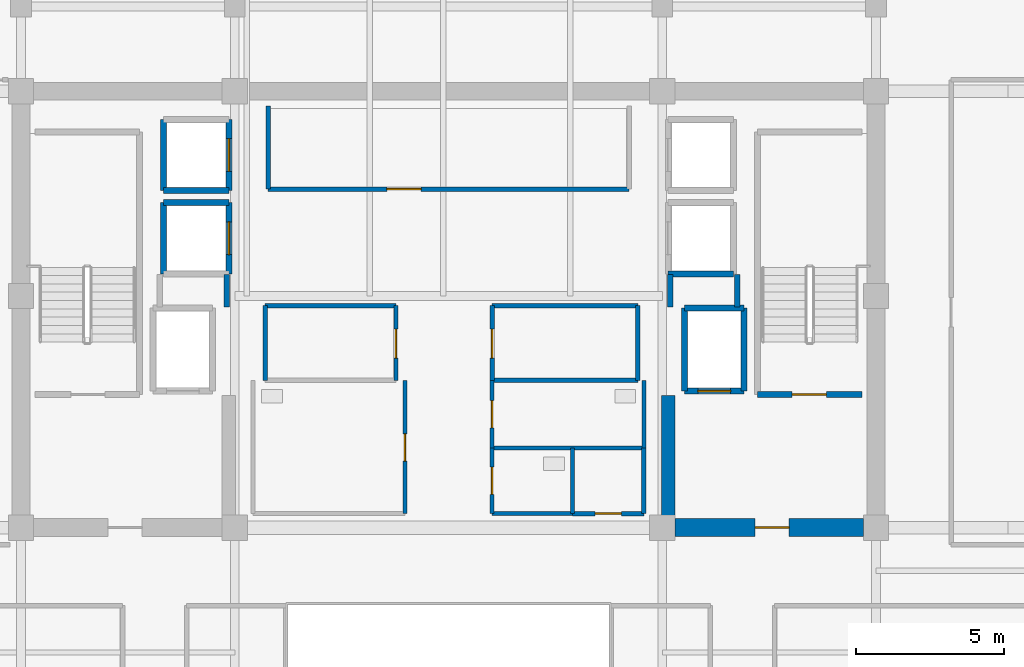
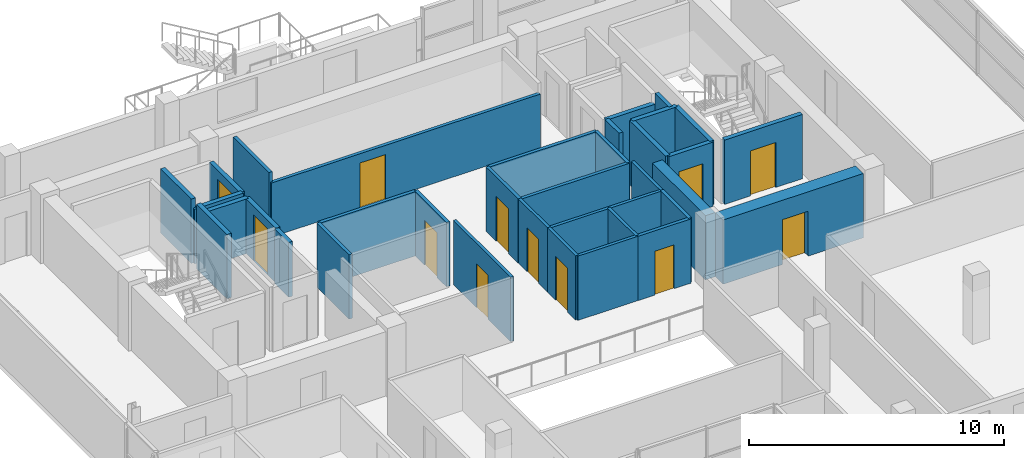
# One storey, part 16 of 23: 35 walls, 12 doors, 12 openings.
"""IFC4 building model written with IfcOpenShell, lengths in metres."""

from ifc_helpers import new_model, si_unit, direction, frame, frame_2d, origin, place, context, subcontext, project, spatial, rectangle, extrude, source, transform, mapped, material, layer, layer_set, type_object, element, fill, save


model = new_model("IFC4")

# Units and contexts
model_context = context("Model", 3, precision=1e-05, world=origin(), true_north=direction((0.0, 1.0)))
body_context = subcontext(model_context, "Body", "Model", "MODEL_VIEW")
ifc_project = project(units=[si_unit("LENGTHUNIT", "METRE"), si_unit("AREAUNIT", "SQUARE_METRE"), si_unit("VOLUMEUNIT", "CUBIC_METRE"), si_unit("PLANEANGLEUNIT", "RADIAN"), si_unit("MASSUNIT", "GRAM", prefix="KILO")], contexts=[model_context])

# Site, building, storey
site_placement = place(None, origin())
site = spatial("IfcSite", under=ifc_project, at=site_placement, CompositionType="ELEMENT")
building_placement = place(site_placement, origin())
building = spatial("IfcBuilding", under=site, at=building_placement, Name="Zarnakvel Exchange Tower", CompositionType="ELEMENT")
storey_placement = place(building_placement, frame((0.0, 0.0, 232.0)))
storey = spatial("IfcBuildingStorey", under=building, at=storey_placement, Name="L65", CompositionType="ELEMENT", Elevation=232.0)

# Wall, opening, door
ifc_material_1 = material(Name="Concrete C50/60", Category="concrete")
ifc_layer_1 = layer(ifc_material_1, 0.60009765625)
ifc_layer_set_1 = layer_set([ifc_layer_1], Name="Concrete C50/60")
wall_type_1 = type_object("IfcWallType", Name="CW-C5", PredefinedType="SHEAR", material=ifc_layer_set_1)
wall_1_placement = place(storey_placement, frame((13.97509765625, -1.199951171875, 0.0), z_axis=(0.0, 0.0, 1.0), x_axis=(-1.0, 0.0, 0.0)))
wall_1 = element("IfcWall", 1, at=wall_1_placement, inside=storey, type_object=wall_type_1, Name="L65 Rear Core Shear Wall SE (CW-C5)", PredefinedType="SHEAR", context=body_context, shape_type="SweptSolid", body=[
    extrude(rectangle(XDim=6.35009765625, YDim=0.60009765625, at=frame_2d((3.175048828125, 0.0))), origin(), (0.0, 0.0, 1.0), 3.074951171875),
])
opening_1_placement = place(wall_1_placement, frame((2.5, 0.0, 0.0)))
opening_1 = element("IfcOpeningElement", 2, at=opening_1_placement, cuts=wall_1, Name="Opening D-L65-04", PredefinedType="OPENING", context=body_context, shape_type="SweptSolid", body=[
    extrude(rectangle(XDim=1.14990234375, YDim=2.14990234375, at=frame_2d((0.574951171875, 1.074951171875))), frame((0.0, 0.31005859375, 0.0), z_axis=(0.0, -1.0, 0.0), x_axis=(1.0, 0.0, 0.0)), (0.0, 0.0, 1.0), 0.6201171875),
])
ifc_material_2 = material(Name="Painted Galvanised Steel S355", Category="steel")
door_type_1 = type_object("IfcDoorType", Name="DT-04", OperationType="NOTDEFINED", PredefinedType="DOOR", material=ifc_material_2)
shared_shape_1 = source(origin(), body_context, "Body", "SweptSolid", [
    extrude(rectangle(XDim=1.14990234375, YDim=2.14990234375, at=frame_2d((0.574951171875, 1.074951171875))), frame((0.0, 0.02490234375, 0.0), z_axis=(0.0, -1.0, 0.0), x_axis=(1.0, 0.0, 0.0)), (0.0, 0.0, 1.0), 0.050048828125),
])
door_1_placement = place(opening_1_placement, origin())
door_1 = element("IfcDoor", 3, at=door_1_placement, inside=storey, type_object=door_type_1, Name="L65 Firefighting Lobby East Door D-L65-04", OperationType="SINGLE_SWING_RIGHT", OverallHeight=2.14990234375, OverallWidth=1.14990234375, PredefinedType="DOOR", context=body_context, shape_type="MappedRepresentation", body=[
    mapped(shared_shape_1, transform((0.0, 0.0, 0.0), x_axis=(1.0, 0.0, 0.0), y_axis=(0.0, 1.0, 0.0), z_axis=(0.0, 0.0, 1.0), scale=1.0)),
])
fill(opening_1, door_1)

# Wall
ifc_layer_2 = layer(ifc_material_1, 0.449951171875)
ifc_layer_set_2 = layer_set([ifc_layer_2], Name="Concrete C50/60")
wall_type_2 = type_object("IfcWallType", Name="CW-C6", PredefinedType="SHEAR", material=ifc_layer_set_2)
wall_2_placement = place(storey_placement, frame((7.39990234375, -0.89990234375, 0.0), z_axis=(0.0, 0.0, 1.0), x_axis=(0.0, 1.0, 0.0)))
element("IfcWall", 4, at=wall_2_placement, inside=storey, type_object=wall_type_2, Name="L65 Rear Core Shear Wall IE (CW-C6)", PredefinedType="SHEAR", context=body_context, shape_type="SweptSolid", body=[
    extrude(rectangle(XDim=4.14990234375, YDim=0.449951171875, at=frame_2d((2.074951171875, 0.0))), origin(), (0.0, 0.0, 1.0), 3.074951171875),
])

# Wall, opening, door
ifc_material_3 = material(Name="Fire-Rated Gypsum Stud Partition", Category="gypsum")
ifc_layer_3 = layer(ifc_material_3, 0.14990234375)
ifc_layer_set_3 = layer_set([ifc_layer_3], Name="Fire-Rated Gypsum Stud Partition")
wall_type_3 = type_object("IfcWallType", Name="PT-01", PredefinedType="PARTITIONING", material=ifc_layer_set_3)
wall_3_placement = place(storey_placement, frame((6.080078125, 10.199951171875, 0.0), z_axis=(0.0, 0.0, 1.0), x_axis=(-1.0, 0.0, 0.0)))
wall_3 = element("IfcWall", 5, at=wall_3_placement, inside=storey, type_object=wall_type_3, Name="L65 Partition Wall PWALL-L65-011 (PT-01)", PredefinedType="PARTITIONING", context=body_context, shape_type="SweptSolid", body=[
    extrude(rectangle(XDim=12.16015625, YDim=0.14990234375, at=frame_2d((6.080078125, 0.0))), origin(), (0.0, 0.0, 1.0), 2.590087890625),
])
opening_2_placement = place(wall_3_placement, frame((7.0048828125, 0.0, 0.0)))
opening_2 = element("IfcOpeningElement", 6, at=opening_2_placement, cuts=wall_3, Name="Opening D-L65-05", PredefinedType="OPENING", context=body_context, shape_type="SweptSolid", body=[
    extrude(rectangle(XDim=1.14990234375, YDim=2.14990234375, at=frame_2d((0.574951171875, 1.074951171875))), frame((0.0, 0.0849609375, 0.0), z_axis=(0.0, -1.0, 0.0), x_axis=(1.0, 0.0, 0.0)), (0.0, 0.0, 1.0), 0.169921875),
])
door_2_placement = place(opening_2_placement, origin())
door_2 = element("IfcDoor", 7, at=door_2_placement, inside=storey, type_object=door_type_1, Name="L65 Market Data Archive Suite Door D-L65-05", OperationType="SINGLE_SWING_LEFT", OverallHeight=2.14990234375, OverallWidth=1.14990234375, PredefinedType="DOOR", context=body_context, shape_type="MappedRepresentation", body=[
    mapped(shared_shape_1, transform((0.0, 0.0, 0.0), x_axis=(1.0, 0.0, 0.0), y_axis=(0.0, 1.0, 0.0), z_axis=(0.0, 0.0, 1.0), scale=1.0)),
])
fill(opening_2, door_2)

# Walls
wall_4_placement = place(storey_placement, frame((-6.080078125, 10.199951171875, 0.0), z_axis=(0.0, 0.0, 1.0), x_axis=(0.0, 1.0, 0.0)))
element("IfcWall", 8, at=wall_4_placement, inside=storey, type_object=wall_type_3, Name="L65 Partition Wall PWALL-L65-012 (PT-01)", PredefinedType="PARTITIONING", context=body_context, shape_type="SweptSolid", body=[
    extrude(rectangle(XDim=2.800048828125, YDim=0.14990234375, at=frame_2d((1.39990234375, 0.0))), origin(), (0.0, 0.0, 1.0), 3.074951171875),
])
wall_5_placement = place(storey_placement, frame((-6.179931640625, 6.280029296875, 0.0), z_axis=(0.0, 0.0, 1.0), x_axis=(1.0, 0.0, 0.0)))
element("IfcWall", 9, at=wall_5_placement, inside=storey, type_object=wall_type_3, Name="L65 Partition Wall PWALL-L65-015 (PT-01)", PredefinedType="PARTITIONING", context=body_context, shape_type="SweptSolid", body=[
    extrude(rectangle(XDim=4.409912109375, YDim=0.14990234375, at=frame_2d((2.205078125, 0.0))), origin(), (0.0, 0.0, 1.0), 3.074951171875),
])
wall_6_placement = place(storey_placement, frame((-6.179931640625, 3.760009765625, 0.0), z_axis=(0.0, 0.0, 1.0), x_axis=(0.0, 1.0, 0.0)))
element("IfcWall", 10, at=wall_6_placement, inside=storey, type_object=wall_type_3, Name="L65 Partition Wall PWALL-L65-016 (PT-01)", PredefinedType="PARTITIONING", context=body_context, shape_type="SweptSolid", body=[
    extrude(rectangle(XDim=2.52001953125, YDim=0.14990234375, at=frame_2d((1.260009765625, 0.0))), origin(), (0.0, 0.0, 1.0), 3.074951171875),
])

# Wall, opening, door
wall_7_placement = place(storey_placement, frame((-1.77001953125, 6.280029296875, 0.0), z_axis=(0.0, 0.0, 1.0), x_axis=(0.0, -1.0, 0.0)))
wall_7 = element("IfcWall", 11, at=wall_7_placement, inside=storey, type_object=wall_type_3, Name="L65 Partition Wall PWALL-L65-017 (PT-01)", PredefinedType="PARTITIONING", context=body_context, shape_type="SweptSolid", body=[
    extrude(rectangle(XDim=2.52001953125, YDim=0.14990234375, at=frame_2d((1.260009765625, 0.0))), origin(), (0.0, 0.0, 1.0), 3.074951171875),
])
opening_3_placement = place(wall_7_placement, frame((0.7900390625, 0.0, 0.0)))
opening_3 = element("IfcOpeningElement", 12, at=opening_3_placement, cuts=wall_7, Name="Opening D-L65-06", PredefinedType="OPENING", context=body_context, shape_type="SweptSolid", body=[
    extrude(rectangle(XDim=0.97998046875, YDim=2.14990234375, at=frame_2d((0.489990234375, 1.074951171875))), frame((0.0, 0.0849609375, 0.0), z_axis=(0.0, -1.0, 0.0), x_axis=(1.0, 0.0, 0.0)), (0.0, 0.0, 1.0), 0.169921875),
])
ifc_material_4 = material(Name="Timber Acoustic Veneer", Category="wood")
door_type_2 = type_object("IfcDoorType", Name="DT-05", OperationType="NOTDEFINED", PredefinedType="DOOR", material=ifc_material_4)
shared_shape_2 = source(origin(), body_context, "Body", "SweptSolid", [
    extrude(rectangle(XDim=0.97998046875, YDim=2.14990234375, at=frame_2d((0.489990234375, 1.074951171875))), frame((0.0, 0.02490234375, 0.0), z_axis=(0.0, -1.0, 0.0), x_axis=(1.0, 0.0, 0.0)), (0.0, 0.0, 1.0), 0.050048828125),
])
door_3_placement = place(opening_3_placement, origin())
door_3 = element("IfcDoor", 13, at=door_3_placement, inside=storey, type_object=door_type_2, Name="L65 Sovereign Compliance Office Door D-L65-06", OperationType="SINGLE_SWING_RIGHT", OverallHeight=2.14990234375, OverallWidth=0.97998046875, PredefinedType="DOOR", context=body_context, shape_type="MappedRepresentation", body=[
    mapped(shared_shape_2, transform((0.0, 0.0, 0.0), x_axis=(1.0, 0.0, 0.0), y_axis=(0.0, 1.0, 0.0), z_axis=(0.0, 0.0, 1.0), scale=1.0)),
])
fill(opening_3, door_3)

# Walls
for number, where, z_axis, x_axis, name in (
    (14, (6.3798828125, 3.760009765625, 0.0), (0.0, 0.0, 1.0), (-1.0, 0.0, 0.0), "L65 Partition Wall PWALL-L65-018 (PT-01)"),
    (15, (1.469970703125, 6.280029296875, 0.0), (0.0, 0.0, 1.0), (1.0, 0.0, 0.0), "L65 Partition Wall PWALL-L65-019 (PT-01)"),
):
    element("IfcWall", number, at=place(storey_placement, frame(where, z_axis=z_axis, x_axis=x_axis)), inside=storey, type_object=wall_type_3, Name=name, PredefinedType="PARTITIONING", context=body_context, shape_type="SweptSolid", body=[
        extrude(rectangle(XDim=4.909912109375, YDim=0.14990234375, at=frame_2d((2.455078125, 0.0))), origin(), (0.0, 0.0, 1.0), 3.074951171875),
    ])

# Wall, opening, door
wall_8_placement = place(storey_placement, frame((1.469970703125, 3.760009765625, 0.0), z_axis=(0.0, 0.0, 1.0), x_axis=(0.0, 1.0, 0.0)))
wall_8 = element("IfcWall", 16, at=wall_8_placement, inside=storey, type_object=wall_type_3, Name="L65 Partition Wall PWALL-L65-020 (PT-01)", PredefinedType="PARTITIONING", context=body_context, shape_type="SweptSolid", body=[
    extrude(rectangle(XDim=2.52001953125, YDim=0.14990234375, at=frame_2d((1.260009765625, 0.0))), origin(), (0.0, 0.0, 1.0), 3.074951171875),
])
opening_4_placement = place(wall_8_placement, frame((0.75, 0.0, 0.0)))
opening_4 = element("IfcOpeningElement", 17, at=opening_4_placement, cuts=wall_8, Name="Opening D-L65-07", PredefinedType="OPENING", context=body_context, shape_type="SweptSolid", body=[
    extrude(rectangle(XDim=0.97998046875, YDim=2.14990234375, at=frame_2d((0.489990234375, 1.074951171875))), frame((0.0, 0.0849609375, 0.0), z_axis=(0.0, -1.0, 0.0), x_axis=(1.0, 0.0, 0.0)), (0.0, 0.0, 1.0), 0.169921875),
])
door_4_placement = place(opening_4_placement, origin())
door_4 = element("IfcDoor", 18, at=door_4_placement, inside=storey, type_object=door_type_2, Name="L65 Depository Legal Office Door D-L65-07", OperationType="SINGLE_SWING_LEFT", OverallHeight=2.14990234375, OverallWidth=0.97998046875, PredefinedType="DOOR", context=body_context, shape_type="MappedRepresentation", body=[
    mapped(shared_shape_2, transform((0.0, 0.0, 0.0), x_axis=(1.0, 0.0, 0.0), y_axis=(0.0, 1.0, 0.0), z_axis=(0.0, 0.0, 1.0), scale=1.0)),
])
fill(opening_4, door_4)

# Wall
wall_9_placement = place(storey_placement, frame((6.3798828125, 6.280029296875, 0.0), z_axis=(0.0, 0.0, 1.0), x_axis=(0.0, -1.0, 0.0)))
element("IfcWall", 19, at=wall_9_placement, inside=storey, type_object=wall_type_3, Name="L65 Partition Wall PWALL-L65-021 (PT-01)", PredefinedType="PARTITIONING", context=body_context, shape_type="SweptSolid", body=[
    extrude(rectangle(XDim=2.52001953125, YDim=0.14990234375, at=frame_2d((1.260009765625, 0.0))), origin(), (0.0, 0.0, 1.0), 3.074951171875),
])

# Wall, opening, door
wall_10_placement = place(storey_placement, frame((6.580078125, -0.72998046875, 0.0), z_axis=(0.0, 0.0, 1.0), x_axis=(-1.0, 0.0, 0.0)))
wall_10 = element("IfcWall", 20, at=wall_10_placement, inside=storey, type_object=wall_type_3, Name="L65 Partition Wall PWALL-L65-031 (PT-01)", PredefinedType="PARTITIONING", context=body_context, shape_type="SweptSolid", body=[
    extrude(rectangle(XDim=2.400146484375, YDim=0.14990234375, at=frame_2d((1.2001953125, 0.0))), origin(), (0.0, 0.0, 1.0), 3.074951171875),
])
opening_5_placement = place(wall_10_placement, frame((0.760009765625, 0.0, 0.0)))
opening_5 = element("IfcOpeningElement", 21, at=opening_5_placement, cuts=wall_10, Name="Opening D-L65-11", PredefinedType="OPENING", context=body_context, shape_type="SweptSolid", body=[
    extrude(rectangle(XDim=0.8798828125, YDim=2.10009765625, at=frame_2d((0.43994140625, 1.050048828125))), frame((0.0, 0.0849609375, 0.0), z_axis=(0.0, -1.0, 0.0), x_axis=(1.0, 0.0, 0.0)), (0.0, 0.0, 1.0), 0.169921875),
])
door_type_3 = type_object("IfcDoorType", Name="DT-08", OperationType="NOTDEFINED", PredefinedType="DOOR", material=ifc_material_2)
shared_shape_3 = source(origin(), body_context, "Body", "SweptSolid", [
    extrude(rectangle(XDim=0.8798828125, YDim=2.10009765625, at=frame_2d((0.43994140625, 1.050048828125))), frame((0.0, 0.02490234375, 0.0), z_axis=(0.0, -1.0, 0.0), x_axis=(1.0, 0.0, 0.0)), (0.0, 0.0, 1.0), 0.050048828125),
])
door_5_placement = place(opening_5_placement, origin())
door_5 = element("IfcDoor", 22, at=door_5_placement, inside=storey, type_object=door_type_3, Name="L65 Cleaners Store Door D-L65-11", OperationType="SINGLE_SWING_LEFT", OverallHeight=2.10009765625, OverallWidth=0.8798828125, PredefinedType="DOOR", context=body_context, shape_type="MappedRepresentation", body=[
    mapped(shared_shape_3, transform((0.0, 0.0, 0.0), x_axis=(1.0, 0.0, 0.0), y_axis=(0.0, 1.0, 0.0), z_axis=(0.0, 0.0, 1.0), scale=1.0)),
])
fill(opening_5, door_5)

# Walls
wall_11_placement = place(storey_placement, frame((6.580078125, 1.47998046875, 0.0), z_axis=(0.0, 0.0, 1.0), x_axis=(0.0, -1.0, 0.0)))
element("IfcWall", 23, at=wall_11_placement, inside=storey, type_object=wall_type_3, Name="L65 Partition Wall PWALL-L65-032 (PT-01)", PredefinedType="PARTITIONING", context=body_context, shape_type="SweptSolid", body=[
    extrude(rectangle(XDim=2.2099609375, YDim=0.14990234375, at=frame_2d((1.10498046875, 0.0))), origin(), (0.0, 0.0, 1.0), 3.074951171875),
])
ifc_layer_4 = layer(ifc_material_3, 0.179931640625)
ifc_layer_set_4 = layer_set([ifc_layer_4], Name="Fire-Rated Gypsum Stud Partition")
wall_type_4 = type_object("IfcWallType", Name="PT-02", PredefinedType="PARTITIONING", material=ifc_layer_set_4)
for number, where, z_axis, x_axis, name in (
    (24, (-7.469970703125, 7.330078125, 0.0), (0.0, 0.0, 1.0), (0.0, -1.0, 0.0), "L65 Partition Wall PWALL-L65-008 (PT-02)"),
    (25, (7.469970703125, 6.239990234375, 0.0), (0.0, 0.0, 1.0), (0.0, 1.0, 0.0), "L65 Partition Wall PWALL-L65-009 (PT-02)"),
):
    element("IfcWall", number, at=place(storey_placement, frame(where, z_axis=z_axis, x_axis=x_axis)), inside=storey, type_object=wall_type_4, Name=name, PredefinedType="PARTITIONING", context=body_context, shape_type="SweptSolid", body=[
        extrude(rectangle(XDim=1.090087890625, YDim=0.179931640625, at=frame_2d((0.544921875, 0.0))), origin(), (0.0, 0.0, 1.0), 2.614990234375),
    ])
wall_12_placement = place(storey_placement, frame((9.72998046875, 7.330078125, 0.0), z_axis=(0.0, 0.0, 1.0), x_axis=(0.0, -1.0, 0.0)))
element("IfcWall", 26, at=wall_12_placement, inside=storey, type_object=wall_type_4, Name="L65 Partition Wall PWALL-L65-010 (PT-02)", PredefinedType="PARTITIONING", context=body_context, shape_type="SweptSolid", body=[
    extrude(rectangle(XDim=1.090087890625, YDim=0.179931640625, at=frame_2d((0.544921875, 0.0))), origin(), (0.0, 0.0, 1.0), 3.074951171875),
])

# Wall, opening, door
ifc_material_5 = material(Name="Moisture-Resistant Tile-Faced Partition", Category="gypsum")
ifc_layer_5 = layer(ifc_material_5, 0.135009765625)
ifc_layer_set_5 = layer_set([ifc_layer_5], Name="Moisture-Resistant Tile-Faced Partition")
wall_type_5 = type_object("IfcWallType", Name="PT-03", PredefinedType="PARTITIONING", material=ifc_layer_set_5)
wall_13_placement = place(storey_placement, frame((-1.469970703125, 3.760009765625, 0.0), z_axis=(0.0, 0.0, 1.0), x_axis=(0.0, -1.0, 0.0)))
wall_13 = element("IfcWall", 27, at=wall_13_placement, inside=storey, type_object=wall_type_5, Name="L65 Partition Wall PWALL-L65-024 (PT-03)", PredefinedType="PARTITIONING", context=body_context, shape_type="SweptSolid", body=[
    extrude(rectangle(XDim=4.489990234375, YDim=0.135009765625, at=frame_2d((2.2451171875, 0.0))), origin(), (0.0, 0.0, 1.0), 3.074951171875),
])
opening_6_placement = place(wall_13_placement, frame((1.800048828125, 0.0, 0.0)))
opening_6 = element("IfcOpeningElement", 28, at=opening_6_placement, cuts=wall_13, Name="Opening D-L65-08", PredefinedType="OPENING", context=body_context, shape_type="SweptSolid", body=[
    extrude(rectangle(XDim=0.919921875, YDim=2.10009765625, at=frame_2d((0.4599609375, 1.050048828125))), frame((0.0, 0.077392578125, 0.0), z_axis=(0.0, -1.0, 0.0), x_axis=(1.0, 0.0, 0.0)), (0.0, 0.0, 1.0), 0.155029296875),
])
ifc_material_6 = material(Name="Moisture-Resistant Laminate Timber", Category="wood")
door_type_4 = type_object("IfcDoorType", Name="DT-07", OperationType="NOTDEFINED", PredefinedType="DOOR", material=ifc_material_6)
shared_shape_4 = source(origin(), body_context, "Body", "SweptSolid", [
    extrude(rectangle(XDim=0.919921875, YDim=2.10009765625, at=frame_2d((0.4599609375, 1.050048828125))), frame((0.0, 0.02490234375, 0.0), z_axis=(0.0, -1.0, 0.0), x_axis=(1.0, 0.0, 0.0)), (0.0, 0.0, 1.0), 0.050048828125),
])
door_6_placement = place(opening_6_placement, origin())
door_6 = element("IfcDoor", 29, at=door_6_placement, inside=storey, type_object=door_type_4, Name="L65 Male Toilet Door D-L65-08", OperationType="SINGLE_SWING_RIGHT", OverallHeight=2.10009765625, OverallWidth=0.919921875, PredefinedType="DOOR", context=body_context, shape_type="MappedRepresentation", body=[
    mapped(shared_shape_4, transform((0.0, 0.0, 0.0), x_axis=(1.0, 0.0, 0.0), y_axis=(0.0, 1.0, 0.0), z_axis=(0.0, 0.0, 1.0), scale=1.0)),
])
fill(opening_6, door_6)

# Wall
wall_14_placement = place(storey_placement, frame((6.580078125, 1.47998046875, 0.0), z_axis=(0.0, 0.0, 1.0), x_axis=(-1.0, 0.0, 0.0)))
element("IfcWall", 30, at=wall_14_placement, inside=storey, type_object=wall_type_5, Name="L65 Partition Wall PWALL-L65-025 (PT-03)", PredefinedType="PARTITIONING", context=body_context, shape_type="SweptSolid", body=[
    extrude(rectangle(XDim=5.110107421875, YDim=0.135009765625, at=frame_2d((2.55517578125, 0.0))), origin(), (0.0, 0.0, 1.0), 3.074951171875),
])

# Wall, opening, door
wall_15_placement = place(storey_placement, frame((1.469970703125, 1.47998046875, 0.0), z_axis=(0.0, 0.0, 1.0), x_axis=(0.0, 1.0, 0.0)))
wall_15 = element("IfcWall", 31, at=wall_15_placement, inside=storey, type_object=wall_type_5, Name="L65 Partition Wall PWALL-L65-026 (PT-03)", PredefinedType="PARTITIONING", context=body_context, shape_type="SweptSolid", body=[
    extrude(rectangle(XDim=2.280029296875, YDim=0.135009765625, at=frame_2d((1.14013671875, 0.0))), origin(), (0.0, 0.0, 1.0), 3.074951171875),
])
opening_7_placement = place(wall_15_placement, frame((0.679931640625, 0.0, 0.0)))
opening_7 = element("IfcOpeningElement", 32, at=opening_7_placement, cuts=wall_15, Name="Opening D-L65-09", PredefinedType="OPENING", context=body_context, shape_type="SweptSolid", body=[
    extrude(rectangle(XDim=0.919921875, YDim=2.10009765625, at=frame_2d((0.4599609375, 1.050048828125))), frame((0.0, 0.077392578125, 0.0), z_axis=(0.0, -1.0, 0.0), x_axis=(1.0, 0.0, 0.0)), (0.0, 0.0, 1.0), 0.155029296875),
])
door_7_placement = place(opening_7_placement, origin())
door_7 = element("IfcDoor", 33, at=door_7_placement, inside=storey, type_object=door_type_4, Name="L65 Female Toilet Door D-L65-09", OperationType="SINGLE_SWING_LEFT", OverallHeight=2.10009765625, OverallWidth=0.919921875, PredefinedType="DOOR", context=body_context, shape_type="MappedRepresentation", body=[
    mapped(shared_shape_4, transform((0.0, 0.0, 0.0), x_axis=(1.0, 0.0, 0.0), y_axis=(0.0, 1.0, 0.0), z_axis=(0.0, 0.0, 1.0), scale=1.0)),
])
fill(opening_7, door_7)

# Walls
wall_16_placement = place(storey_placement, frame((6.580078125, 3.760009765625, 0.0), z_axis=(0.0, 0.0, 1.0), x_axis=(0.0, -1.0, 0.0)))
element("IfcWall", 34, at=wall_16_placement, inside=storey, type_object=wall_type_5, Name="L65 Partition Wall PWALL-L65-027 (PT-03)", PredefinedType="PARTITIONING", context=body_context, shape_type="SweptSolid", body=[
    extrude(rectangle(XDim=2.280029296875, YDim=0.135009765625, at=frame_2d((1.14013671875, 0.0))), origin(), (0.0, 0.0, 1.0), 3.074951171875),
])
wall_17_placement = place(storey_placement, frame((4.179931640625, -0.72998046875, 0.0), z_axis=(0.0, 0.0, 1.0), x_axis=(-1.0, 0.0, 0.0)))
element("IfcWall", 35, at=wall_17_placement, inside=storey, type_object=wall_type_5, Name="L65 Partition Wall PWALL-L65-028 (PT-03)", PredefinedType="PARTITIONING", context=body_context, shape_type="SweptSolid", body=[
    extrude(rectangle(XDim=2.7099609375, YDim=0.135009765625, at=frame_2d((1.35498046875, 0.0))), origin(), (0.0, 0.0, 1.0), 3.074951171875),
])

# Wall, opening, door
wall_18_placement = place(storey_placement, frame((1.469970703125, -0.72998046875, 0.0), z_axis=(0.0, 0.0, 1.0), x_axis=(0.0, 1.0, 0.0)))
wall_18 = element("IfcWall", 36, at=wall_18_placement, inside=storey, type_object=wall_type_5, Name="L65 Partition Wall PWALL-L65-029 (PT-03)", PredefinedType="PARTITIONING", context=body_context, shape_type="SweptSolid", body=[
    extrude(rectangle(XDim=2.2099609375, YDim=0.135009765625, at=frame_2d((1.10498046875, 0.0))), origin(), (0.0, 0.0, 1.0), 3.074951171875),
])
opening_8_placement = place(wall_18_placement, frame((0.64990234375, 0.0, 0.0)))
opening_8 = element("IfcOpeningElement", 37, at=opening_8_placement, cuts=wall_18, Name="Opening D-L65-10", PredefinedType="OPENING", context=body_context, shape_type="SweptSolid", body=[
    extrude(rectangle(XDim=0.919921875, YDim=2.10009765625, at=frame_2d((0.4599609375, 1.050048828125))), frame((0.0, 0.077392578125, 0.0), z_axis=(0.0, -1.0, 0.0), x_axis=(1.0, 0.0, 0.0)), (0.0, 0.0, 1.0), 0.155029296875),
])
door_8_placement = place(opening_8_placement, origin())
door_8 = element("IfcDoor", 38, at=door_8_placement, inside=storey, type_object=door_type_4, Name="L65 Accessible Toilet Door D-L65-10", OperationType="SINGLE_SWING_RIGHT", OverallHeight=2.10009765625, OverallWidth=0.919921875, PredefinedType="DOOR", context=body_context, shape_type="MappedRepresentation", body=[
    mapped(shared_shape_4, transform((0.0, 0.0, 0.0), x_axis=(1.0, 0.0, 0.0), y_axis=(0.0, 1.0, 0.0), z_axis=(0.0, 0.0, 1.0), scale=1.0)),
])
fill(opening_8, door_8)

# Wall
wall_19_placement = place(storey_placement, frame((4.179931640625, 1.47998046875, 0.0), z_axis=(0.0, 0.0, 1.0), x_axis=(0.0, -1.0, 0.0)))
element("IfcWall", 39, at=wall_19_placement, inside=storey, type_object=wall_type_5, Name="L65 Partition Wall PWALL-L65-030 (PT-03)", PredefinedType="PARTITIONING", context=body_context, shape_type="SweptSolid", body=[
    extrude(rectangle(XDim=2.2099609375, YDim=0.135009765625, at=frame_2d((1.10498046875, 0.0))), origin(), (0.0, 0.0, 1.0), 3.074951171875),
])

# Wall, opening, door
ifc_material_7 = material(Name="Concrete C40/50", Category="concrete")
ifc_layer_6 = layer(ifc_material_7, 0.199951171875)
ifc_layer_set_6 = layer_set([ifc_layer_6], Name="Concrete C40/50")
wall_type_6 = type_object("IfcWallType", Name="SW-01", PredefinedType="SOLIDWALL", material=ifc_layer_set_6)
wall_20_placement = place(storey_placement, frame((9.949951171875, 3.39990234375, 0.0), z_axis=(0.0, 0.0, 1.0), x_axis=(-1.0, 0.0, 0.0)))
wall_20 = element("IfcWall", 40, at=wall_20_placement, inside=storey, type_object=wall_type_6, Name="L65 FL-02 Hoistway Wall South", PredefinedType="SOLIDWALL", context=body_context, shape_type="SweptSolid", body=[
    extrude(rectangle(XDim=2.0, YDim=0.199951171875, at=frame_2d((1.0, 0.0))), origin(), (0.0, 0.0, 1.0), 3.074951171875),
])
opening_9_placement = place(wall_20_placement, frame((0.449951171875, 0.0, 0.0)))
opening_9 = element("IfcOpeningElement", 41, at=opening_9_placement, cuts=wall_20, Name="Opening LD-FL-02-L65", PredefinedType="OPENING", context=body_context, shape_type="SweptSolid", body=[
    extrude(rectangle(XDim=1.10009765625, YDim=2.199951171875, at=frame_2d((0.550048828125, 1.10009765625))), frame((0.0, 0.10986328125, 0.0), z_axis=(0.0, -1.0, 0.0), x_axis=(1.0, 0.0, 0.0)), (0.0, 0.0, 1.0), 0.219970703125),
])
ifc_material_8 = material(Name="Brushed Stainless Steel", Category="steel")
door_type_5 = type_object("IfcDoorType", Name="LDT-01", OperationType="NOTDEFINED", PredefinedType="DOOR", material=ifc_material_8)
shared_shape_5 = source(origin(), body_context, "Body", "SweptSolid", [
    extrude(rectangle(XDim=1.10009765625, YDim=2.199951171875, at=frame_2d((0.550048828125, 1.10009765625))), frame((0.0, 0.02490234375, 0.0), z_axis=(0.0, -1.0, 0.0), x_axis=(1.0, 0.0, 0.0)), (0.0, 0.0, 1.0), 0.050048828125),
])
door_9_placement = place(opening_9_placement, origin())
door_9 = element("IfcDoor", 42, at=door_9_placement, inside=storey, type_object=door_type_5, Name="L65 FL-02 Lift Landing Door LD-FL-02-L65", OperationType="DOUBLE_DOOR_SLIDING", OverallHeight=2.199951171875, OverallWidth=1.10009765625, PredefinedType="DOOR", context=body_context, shape_type="MappedRepresentation", body=[
    mapped(shared_shape_5, transform((0.0, 0.0, 0.0), x_axis=(1.0, 0.0, 0.0), y_axis=(0.0, 1.0, 0.0), z_axis=(0.0, 0.0, 1.0), scale=1.0)),
])
fill(opening_9, door_9)

# Walls
wall_21_placement = place(storey_placement, frame((7.949951171875, 6.199951171875, 0.0), z_axis=(0.0, 0.0, 1.0), x_axis=(1.0, 0.0, 0.0)))
element("IfcWall", 43, at=wall_21_placement, inside=storey, type_object=wall_type_6, Name="L65 FL-02 Hoistway Wall North", PredefinedType="SOLIDWALL", context=body_context, shape_type="SweptSolid", body=[
    extrude(rectangle(XDim=2.0, YDim=0.199951171875, at=frame_2d((1.0, 0.0))), origin(), (0.0, 0.0, 1.0), 3.074951171875),
])
for number, where, z_axis, x_axis, name in (
    (44, (7.949951171875, 3.39990234375, 0.0), (0.0, 0.0, 1.0), (0.0, 1.0, 0.0), "L65 FL-02 Hoistway Wall West"),
    (45, (9.949951171875, 6.199951171875, 0.0), (0.0, 0.0, 1.0), (0.0, -1.0, 0.0), "L65 FL-02 Hoistway Wall East"),
):
    element("IfcWall", number, at=place(storey_placement, frame(where, z_axis=z_axis, x_axis=x_axis)), inside=storey, type_object=wall_type_6, Name=name, PredefinedType="SOLIDWALL", context=body_context, shape_type="SweptSolid", body=[
        extrude(rectangle(XDim=2.800048828125, YDim=0.199951171875, at=frame_2d((1.39990234375, 0.0))), origin(), (0.0, 0.0, 1.0), 3.074951171875),
    ])
wall_22_placement = place(storey_placement, frame((-9.60009765625, 9.75, 0.0), z_axis=(0.0, 0.0, 1.0), x_axis=(1.0, 0.0, 0.0)))
element("IfcWall", 46, at=wall_22_placement, inside=storey, type_object=wall_type_6, Name="L65 PL-09 Hoistway Wall North", PredefinedType="SOLIDWALL", context=body_context, shape_type="SweptSolid", body=[
    extrude(rectangle(XDim=2.2001953125, YDim=0.199951171875, at=frame_2d((1.10009765625, 0.0))), origin(), (0.0, 0.0, 1.0), 2.614990234375),
])
wall_23_placement = place(storey_placement, frame((-9.60009765625, 7.35009765625, 0.0), z_axis=(0.0, 0.0, 1.0), x_axis=(0.0, 1.0, 0.0)))
element("IfcWall", 47, at=wall_23_placement, inside=storey, type_object=wall_type_6, Name="L65 PL-09 Hoistway Wall West", PredefinedType="SOLIDWALL", context=body_context, shape_type="SweptSolid", body=[
    extrude(rectangle(XDim=2.39990234375, YDim=0.199951171875, at=frame_2d((1.199951171875, 0.0))), origin(), (0.0, 0.0, 1.0), 3.074951171875),
])

# Wall, opening, door
wall_24_placement = place(storey_placement, frame((-7.39990234375, 9.75, 0.0), z_axis=(0.0, 0.0, 1.0), x_axis=(0.0, -1.0, 0.0)))
wall_24 = element("IfcWall", 48, at=wall_24_placement, inside=storey, type_object=wall_type_6, Name="L65 PL-09 Hoistway Wall East", PredefinedType="SOLIDWALL", context=body_context, shape_type="SweptSolid", body=[
    extrude(rectangle(XDim=2.39990234375, YDim=0.199951171875, at=frame_2d((1.199951171875, 0.0))), origin(), (0.0, 0.0, 1.0), 2.614990234375),
])
opening_10_placement = place(wall_24_placement, frame((0.64990234375, 0.0, 0.0)))
opening_10 = element("IfcOpeningElement", 49, at=opening_10_placement, cuts=wall_24, Name="Opening LD-PL-09-L65", PredefinedType="OPENING", context=body_context, shape_type="SweptSolid", body=[
    extrude(rectangle(XDim=1.10009765625, YDim=2.199951171875, at=frame_2d((0.550048828125, 1.10009765625))), frame((0.0, 0.10986328125, 0.0), z_axis=(0.0, -1.0, 0.0), x_axis=(1.0, 0.0, 0.0)), (0.0, 0.0, 1.0), 0.219970703125),
])
ifc_material_9 = material(Name="Architectural Bronze Anodised Aluminium", Category="aluminium")
door_type_6 = type_object("IfcDoorType", Name="LDT-02", OperationType="NOTDEFINED", PredefinedType="DOOR", material=ifc_material_9)
door_10_placement = place(opening_10_placement, origin())
door_10 = element("IfcDoor", 50, at=door_10_placement, inside=storey, type_object=door_type_6, Name="L65 PL-09 Lift Landing Door LD-PL-09-L65", OperationType="DOUBLE_DOOR_SLIDING", OverallHeight=2.199951171875, OverallWidth=1.10009765625, PredefinedType="DOOR", context=body_context, shape_type="MappedRepresentation", body=[
    mapped(shared_shape_5, transform((0.0, 0.0, 0.0), x_axis=(1.0, 0.0, 0.0), y_axis=(0.0, 1.0, 0.0), z_axis=(0.0, 0.0, 1.0), scale=1.0)),
])
fill(opening_10, door_10)

# Walls
wall_25_placement = place(storey_placement, frame((-7.39990234375, 10.14990234375, 0.0), z_axis=(0.0, 0.0, 1.0), x_axis=(-1.0, 0.0, 0.0)))
element("IfcWall", 51, at=wall_25_placement, inside=storey, type_object=wall_type_6, Name="L65 PL-10 Hoistway Wall South", PredefinedType="SOLIDWALL", context=body_context, shape_type="SweptSolid", body=[
    extrude(rectangle(XDim=2.2001953125, YDim=0.199951171875, at=frame_2d((1.10009765625, 0.0))), origin(), (0.0, 0.0, 1.0), 2.614990234375),
])
wall_26_placement = place(storey_placement, frame((-9.60009765625, 10.14990234375, 0.0), z_axis=(0.0, 0.0, 1.0), x_axis=(0.0, 1.0, 0.0)))
element("IfcWall", 52, at=wall_26_placement, inside=storey, type_object=wall_type_6, Name="L65 PL-10 Hoistway Wall West", PredefinedType="SOLIDWALL", context=body_context, shape_type="SweptSolid", body=[
    extrude(rectangle(XDim=2.400146484375, YDim=0.199951171875, at=frame_2d((1.2001953125, 0.0))), origin(), (0.0, 0.0, 1.0), 3.074951171875),
])

# Wall, opening, door
wall_27_placement = place(storey_placement, frame((-7.39990234375, 12.550048828125, 0.0), z_axis=(0.0, 0.0, 1.0), x_axis=(0.0, -1.0, 0.0)))
wall_27 = element("IfcWall", 53, at=wall_27_placement, inside=storey, type_object=wall_type_6, Name="L65 PL-10 Hoistway Wall East", PredefinedType="SOLIDWALL", context=body_context, shape_type="SweptSolid", body=[
    extrude(rectangle(XDim=2.400146484375, YDim=0.199951171875, at=frame_2d((1.2001953125, 0.0))), origin(), (0.0, 0.0, 1.0), 2.614990234375),
])
opening_11_placement = place(wall_27_placement, frame((0.64990234375, 0.0, 0.0)))
opening_11 = element("IfcOpeningElement", 54, at=opening_11_placement, cuts=wall_27, Name="Opening LD-PL-10-L65", PredefinedType="OPENING", context=body_context, shape_type="SweptSolid", body=[
    extrude(rectangle(XDim=1.10009765625, YDim=2.199951171875, at=frame_2d((0.550048828125, 1.10009765625))), frame((0.0, 0.10986328125, 0.0), z_axis=(0.0, -1.0, 0.0), x_axis=(1.0, 0.0, 0.0)), (0.0, 0.0, 1.0), 0.219970703125),
])
door_11_placement = place(opening_11_placement, origin())
door_11 = element("IfcDoor", 55, at=door_11_placement, inside=storey, type_object=door_type_6, Name="L65 PL-10 Lift Landing Door LD-PL-10-L65", OperationType="DOUBLE_DOOR_SLIDING", OverallHeight=2.199951171875, OverallWidth=1.10009765625, PredefinedType="DOOR", context=body_context, shape_type="MappedRepresentation", body=[
    mapped(shared_shape_5, transform((0.0, 0.0, 0.0), x_axis=(1.0, 0.0, 0.0), y_axis=(0.0, 1.0, 0.0), z_axis=(0.0, 0.0, 1.0), scale=1.0)),
])
fill(opening_11, door_11)

# Wall
wall_28_placement = place(storey_placement, frame((9.60009765625, 7.35009765625, 0.0), z_axis=(0.0, 0.0, 1.0), x_axis=(-1.0, 0.0, 0.0)))
element("IfcWall", 56, at=wall_28_placement, inside=storey, type_object=wall_type_6, Name="L65 PL-11 Hoistway Wall South", PredefinedType="SOLIDWALL", context=body_context, shape_type="SweptSolid", body=[
    extrude(rectangle(XDim=2.2001953125, YDim=0.199951171875, at=frame_2d((1.10009765625, 0.0))), origin(), (0.0, 0.0, 1.0), 2.614990234375),
])

# Wall, opening, door
ifc_layer_7 = layer(ifc_material_7, 0.199951171875)
ifc_layer_set_7 = layer_set([ifc_layer_7], Name="Concrete C40/50")
wall_type_7 = type_object("IfcWallType", Name="SW-02", PredefinedType="SOLIDWALL", material=ifc_layer_set_7)
wall_29_placement = place(storey_placement, frame((13.929931640625, 3.2900390625, 0.0), z_axis=(0.0, 0.0, 1.0), x_axis=(-1.0, 0.0, 0.0)))
wall_29 = element("IfcWall", 57, at=wall_29_placement, inside=storey, type_object=wall_type_7, Name="L65 Stairwell Core Wall PWALL-L65-004 (SW-02)", PredefinedType="SOLIDWALL", context=body_context, shape_type="SweptSolid", body=[
    extrude(rectangle(XDim=3.52001953125, YDim=0.199951171875, at=frame_2d((1.760009765625, 0.0))), origin(), (0.0, 0.0, 1.0), 3.074951171875),
])
opening_12_placement = place(wall_29_placement, frame((1.205078125, 0.0, 0.0)))
opening_12 = element("IfcOpeningElement", 58, at=opening_12_placement, cuts=wall_29, Name="Opening D-L65-02", PredefinedType="OPENING", context=body_context, shape_type="SweptSolid", body=[
    extrude(rectangle(XDim=1.14990234375, YDim=2.14990234375, at=frame_2d((0.574951171875, 1.074951171875))), frame((0.0, 0.10986328125, 0.0), z_axis=(0.0, -1.0, 0.0), x_axis=(1.0, 0.0, 0.0)), (0.0, 0.0, 1.0), 0.219970703125),
])
door_12_placement = place(opening_12_placement, origin())
door_12 = element("IfcDoor", 59, at=door_12_placement, inside=storey, type_object=door_type_1, Name="L65 Stairwell ST-02 Door D-L65-02", OperationType="SINGLE_SWING_RIGHT", OverallHeight=2.14990234375, OverallWidth=1.14990234375, PredefinedType="DOOR", context=body_context, shape_type="MappedRepresentation", body=[
    mapped(shared_shape_1, transform((0.0, 0.0, 0.0), x_axis=(1.0, 0.0, 0.0), y_axis=(0.0, 1.0, 0.0), z_axis=(0.0, 0.0, 1.0), scale=1.0)),
])
fill(opening_12, door_12)

save(model, "model.ifc")
